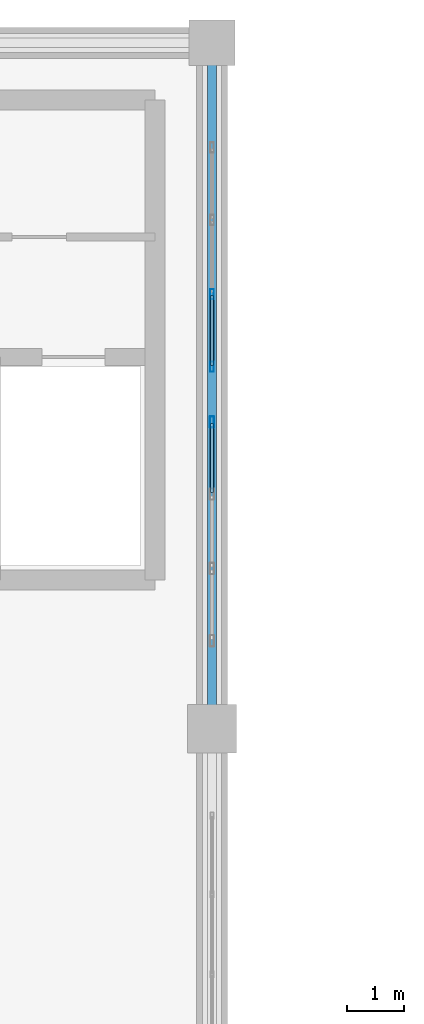
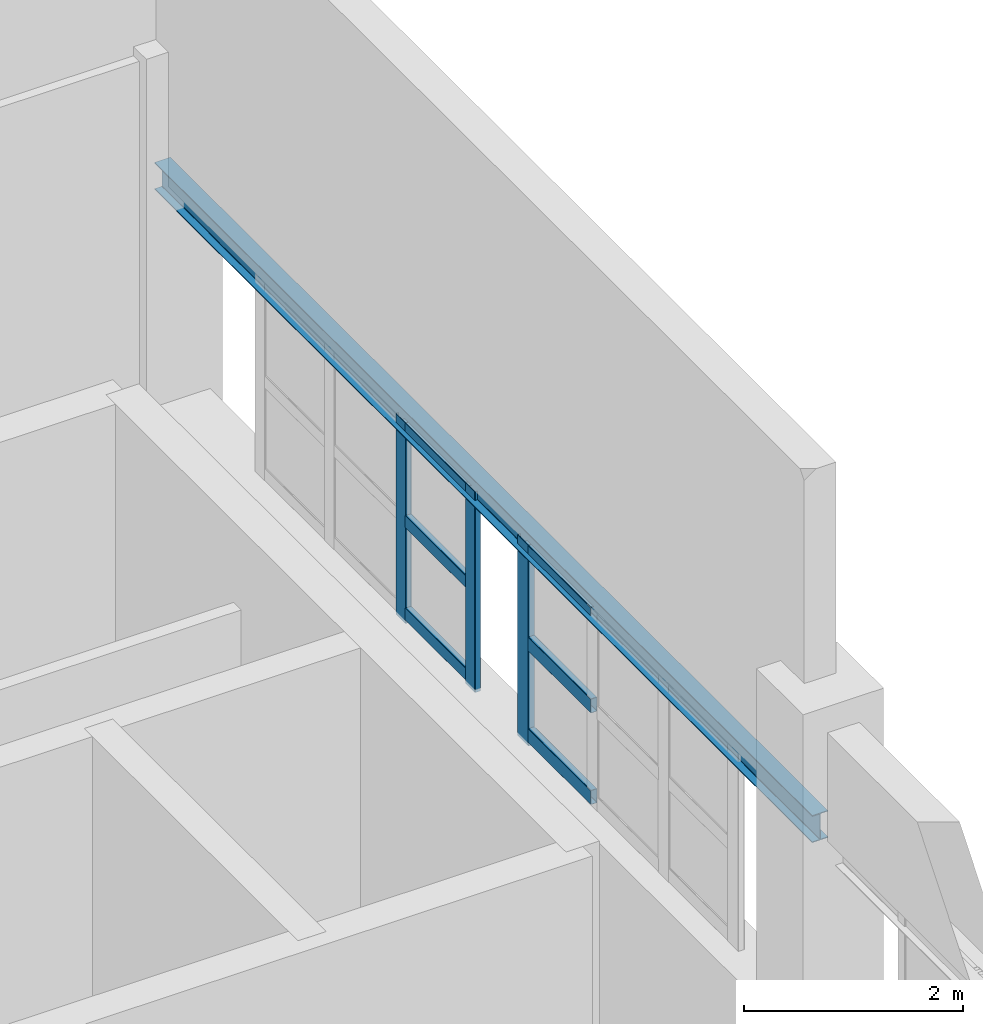
# One storey, part 61 of 97: 9 members, 1 beam, 2 elements without a shape of their own.
"""IFC4 building model written with IfcOpenShell, lengths in metres."""

from ifc_helpers import new_model, si_unit, derived_unit, direction, frame, origin, origin_2d, place, context, subcontext, project, spatial, hollow_rectangle, i_section, extrude, material, layer, layer_set, material_profile, profile_set, type_object, element, aggregate, save


model = new_model("IFC4")

# Units and contexts
model_context = context("Model", 3, precision=1e-05, world=origin(), true_north=direction((0.0, 1.0)))
body_context = subcontext(model_context, "Body", "Model", "MODEL_VIEW")
ifc_project = project(units=[si_unit("LENGTHUNIT", "METRE"), si_unit("AREAUNIT", "SQUARE_METRE"), si_unit("VOLUMEUNIT", "CUBIC_METRE"), si_unit("PLANEANGLEUNIT", "RADIAN"), si_unit("MASSUNIT", "GRAM", prefix="KILO"), derived_unit("THERMALTRANSMITTANCEUNIT", [(si_unit("POWERUNIT", "WATT"), 1), (si_unit("LENGTHUNIT", "METRE"), -2), (si_unit("THERMODYNAMICTEMPERATUREUNIT", "KELVIN"), -1)])], contexts=[model_context])

# Site, building, storey
site_placement = place(None, origin())
site = spatial("IfcSite", under=ifc_project, at=site_placement, CompositionType="ELEMENT")
building_placement = place(site_placement, origin())
building = spatial("IfcBuilding", under=site, at=building_placement, Name="Almenara Railside Exhibition Hall", CompositionType="ELEMENT")
storey_placement = place(building_placement, frame((0.0, 0.0, 10.800048828125)))
storey = spatial("IfcBuildingStorey", under=building, at=storey_placement, Name="L02", CompositionType="ELEMENT", Elevation=10.800048828125)

# Curtain wall, members
ifc_material_1 = material(Name="Bronze-anodised aluminium and low-E double glazing", Category="aluminium")
ifc_layer = layer(ifc_material_1, 0.179931640625, Name="Bronze-anodised aluminium and low-E double glazing")
ifc_layer_set = layer_set([ifc_layer], Name="Bronze-anodised aluminium and low-E double glazing")
curtain_wall_type = type_object("IfcCurtainWallType", Name="West Hall Clerestory Curtain Wall 3900x2200", PredefinedType="NOTDEFINED", material=ifc_layer_set)
curtain_wall_1_placement = place(storey_placement, origin())
curtain_wall_1 = element("IfcCurtainWall", 1, at=curtain_wall_1_placement, inside=storey, type_object=curtain_wall_type, Name="Curtain wall CW-CL2-024", PredefinedType="NOTDEFINED")
ifc_material_2 = material(Name="Bronze-anodised aluminium", Category="aluminium")
ifc_material_profile_1 = material_profile(ifc_material_2, hollow_rectangle(XDim=0.06494140625, YDim=0.179931640625, WallThickness=0.00390625, InnerFilletRadius=0.00390625, OuterFilletRadius=0.008056640625, at=origin_2d()), Name="ALU-MUL 65x180x4")
ifc_profile_set_1 = profile_set([ifc_material_profile_1], Name="Bronze-anodised aluminium")
member_type_1 = type_object("IfcMemberType", Name="Curtain Wall Mullion 65x180x4", PredefinedType="MULLION", material=ifc_profile_set_1)
member_1_placement = place(storey_placement, frame((66.0, 126.33251953125, 4.56494140625), z_axis=(0.0, 0.0, 1.0), x_axis=(-1.0, 0.0, 0.0)))
member_1 = element("IfcMember", 2, at=member_1_placement, type_object=member_type_1, Name="CW-CL2-024 mullion 1", PredefinedType="MULLION", context=body_context, shape_type="SweptSolid", body=[
    extrude(hollow_rectangle(XDim=0.06494140625, YDim=0.179931640625, WallThickness=0.00390625, InnerFilletRadius=0.00390625, OuterFilletRadius=0.008056640625, at=origin_2d()), origin(), (0.0, 0.0, 1.0), 2.235107421875),
])
member_2_placement = place(storey_placement, frame((66.0, 127.60009765625, 4.56494140625), z_axis=(0.0, 0.0, 1.0), x_axis=(-1.0, 0.0, 0.0)))
member_2 = element("IfcMember", 3, at=member_2_placement, type_object=member_type_1, Name="CW-CL2-024 mullion 2", PredefinedType="MULLION", context=body_context, shape_type="SweptSolid", body=[
    extrude(hollow_rectangle(XDim=0.06494140625, YDim=0.179931640625, WallThickness=0.00390625, InnerFilletRadius=0.00390625, OuterFilletRadius=0.008056640625, at=origin_2d()), origin(), (0.0, 0.0, 1.0), 2.235107421875),
])

# Curtain wall, member
curtain_wall_2_placement = place(storey_placement, origin())
curtain_wall_2 = element("IfcCurtainWall", 4, at=curtain_wall_2_placement, inside=storey, type_object=curtain_wall_type, Name="Curtain wall CW-CL2-023", PredefinedType="NOTDEFINED")
ifc_material_profile_2 = material_profile(ifc_material_2, hollow_rectangle(XDim=0.070068359375, YDim=0.199951171875, WallThickness=0.00439453125, InnerFilletRadius=0.00439453125, OuterFilletRadius=0.009033203125, at=origin_2d()), Name="ALU-MUL 70x200x4.5")
ifc_profile_set_2 = profile_set([ifc_material_profile_2], Name="Bronze-anodised aluminium")
member_type_2 = type_object("IfcMemberType", Name="Curtain Wall Mullion 70x200x4.5", PredefinedType="MULLION", material=ifc_profile_set_2)
member_3_placement = place(storey_placement, frame((66.0, 125.364990234375, 4.56494140625), z_axis=(0.0, 0.0, 1.0), x_axis=(-1.0, 0.0, 0.0)))
member_3 = element("IfcMember", 5, at=member_3_placement, type_object=member_type_2, Name="CW-CL2-023 mullion 4", PredefinedType="MULLION", context=body_context, shape_type="SweptSolid", body=[
    extrude(hollow_rectangle(XDim=0.070068359375, YDim=0.199951171875, WallThickness=0.00439453125, InnerFilletRadius=0.00439453125, OuterFilletRadius=0.009033203125, at=origin_2d()), origin(), (0.0, 0.0, 1.0), 2.235107421875),
])

# Member
ifc_material_profile_3 = material_profile(ifc_material_2, hollow_rectangle(XDim=0.06494140625, YDim=0.139892578125, WallThickness=0.00341796875, InnerFilletRadius=0.00341796875, OuterFilletRadius=0.007080078125, at=origin_2d()), Name="ALU-TRN 65x140x3.5")
ifc_profile_set_3 = profile_set([ifc_material_profile_3], Name="Bronze-anodised aluminium")
member_type_3 = type_object("IfcMemberType", Name="Curtain Wall Transom 65x140x3.5", PredefinedType="USERDEFINED", material=ifc_profile_set_3)
member_4_placement = place(storey_placement, frame((66.0, 126.35693359375, 4.669921875), z_axis=(0.0, 1.0, 0.0), x_axis=(-1.0, 0.0, 0.0)))
member_4 = element("IfcMember", 6, at=member_4_placement, type_object=member_type_3, Name="CW-CL2-024 transom 1.1", ObjectType="TRANSOM", PredefinedType="USERDEFINED", context=body_context, shape_type="SweptSolid", body=[
    extrude(hollow_rectangle(XDim=0.06494140625, YDim=0.139892578125, WallThickness=0.00341796875, InnerFilletRadius=0.00341796875, OuterFilletRadius=0.007080078125, at=origin_2d()), origin(), (0.0, 0.0, 1.0), 1.218505859375),
])

member_5_placement = place(storey_placement, frame((66.0, 126.35693359375, 5.699951171875), z_axis=(0.0, 1.0, 0.0), x_axis=(-1.0, 0.0, 0.0)))
member_5 = element("IfcMember", 7, at=member_5_placement, type_object=member_type_3, Name="CW-CL2-024 transom 1.2", ObjectType="TRANSOM", PredefinedType="USERDEFINED", context=body_context, shape_type="SweptSolid", body=[
    extrude(hollow_rectangle(XDim=0.06494140625, YDim=0.139892578125, WallThickness=0.00341796875, InnerFilletRadius=0.00341796875, OuterFilletRadius=0.007080078125, at=origin_2d()), origin(), (0.0, 0.0, 1.0), 1.218505859375),
])

member_6_placement = place(storey_placement, frame((66.0, 126.35693359375, 6.72998046875), z_axis=(0.0, 1.0, 0.0), x_axis=(-1.0, 0.0, 0.0)))
member_6 = element("IfcMember", 8, at=member_6_placement, type_object=member_type_3, Name="CW-CL2-024 transom 1.3", ObjectType="TRANSOM", PredefinedType="USERDEFINED", context=body_context, shape_type="SweptSolid", body=[
    extrude(hollow_rectangle(XDim=0.06494140625, YDim=0.139892578125, WallThickness=0.00341796875, InnerFilletRadius=0.00341796875, OuterFilletRadius=0.007080078125, at=origin_2d()), origin(), (0.0, 0.0, 1.0), 1.218505859375),
])

aggregate(curtain_wall_1, [member_1, member_2, member_4, member_5, member_6])

ifc_material_profile_4 = material_profile(ifc_material_2, hollow_rectangle(XDim=0.070068359375, YDim=0.159912109375, WallThickness=0.00390625, InnerFilletRadius=0.00390625, OuterFilletRadius=0.008056640625, at=origin_2d()), Name="ALU-TRN 70x160x4")
ifc_profile_set_4 = profile_set([ifc_material_profile_4], Name="Bronze-anodised aluminium")
member_type_4 = type_object("IfcMemberType", Name="Curtain Wall Transom 70x160x4", PredefinedType="USERDEFINED", material=ifc_profile_set_4)
member_7_placement = place(storey_placement, frame((66.0, 124.126953125, 4.679931640625), z_axis=(0.0, 1.0, 0.0), x_axis=(-1.0, 0.0, 0.0)))
member_7 = element("IfcMember", 9, at=member_7_placement, type_object=member_type_4, Name="CW-CL2-023 transom 3.1", ObjectType="TRANSOM", PredefinedType="USERDEFINED", context=body_context, shape_type="SweptSolid", body=[
    extrude(hollow_rectangle(XDim=0.070068359375, YDim=0.159912109375, WallThickness=0.00390625, InnerFilletRadius=0.00390625, OuterFilletRadius=0.008056640625, at=origin_2d()), origin(), (0.0, 0.0, 1.0), 1.2109375),
])

member_8_placement = place(storey_placement, frame((66.0, 124.126953125, 5.699951171875), z_axis=(0.0, 1.0, 0.0), x_axis=(-1.0, 0.0, 0.0)))
member_8 = element("IfcMember", 10, at=member_8_placement, type_object=member_type_4, Name="CW-CL2-023 transom 3.2", ObjectType="TRANSOM", PredefinedType="USERDEFINED", context=body_context, shape_type="SweptSolid", body=[
    extrude(hollow_rectangle(XDim=0.070068359375, YDim=0.159912109375, WallThickness=0.00390625, InnerFilletRadius=0.00390625, OuterFilletRadius=0.008056640625, at=origin_2d()), origin(), (0.0, 0.0, 1.0), 1.2109375),
])

member_9_placement = place(storey_placement, frame((66.0, 124.126953125, 6.719970703125), z_axis=(0.0, 1.0, 0.0), x_axis=(-1.0, 0.0, 0.0)))
member_9 = element("IfcMember", 11, at=member_9_placement, type_object=member_type_4, Name="CW-CL2-023 transom 3.3", ObjectType="TRANSOM", PredefinedType="USERDEFINED", context=body_context, shape_type="SweptSolid", body=[
    extrude(hollow_rectangle(XDim=0.070068359375, YDim=0.159912109375, WallThickness=0.00390625, InnerFilletRadius=0.00390625, OuterFilletRadius=0.008056640625, at=origin_2d()), origin(), (0.0, 0.0, 1.0), 1.2109375),
])

aggregate(curtain_wall_2, [member_3, member_7, member_8, member_9])

# Beam
ifc_material_3 = material(Name="Structural steel S355JR", Category="steel")
ifc_material_profile_5 = material_profile(ifc_material_3, i_section(OverallWidth=0.1650390625, OverallDepth=0.303466796875, WebThickness=0.006103515625, FlangeThickness=0.01025390625, FilletRadius=0.0087890625, at=origin_2d()), Name="UB 305x165x40")
ifc_profile_set_5 = profile_set([ifc_material_profile_5], Name="Structural steel S355JR")
beam_type = type_object("IfcBeamType", Name="Steel Canopy Edge Spandrel UB 305x165x40 S355JR", PredefinedType="SPANDREL", material=ifc_profile_set_5)
beam_placement = place(storey_placement, frame((66.0, 120.0, 6.84814453125), z_axis=(0.0, 1.0, 0.0), x_axis=(-1.0, 0.0, 0.0)))
element("IfcBeam", 12, at=beam_placement, inside=storey, type_object=beam_type, Name="BM-CRNLNT-V1-66-120", PredefinedType="SPANDREL", context=body_context, shape_type="SweptSolid", body=[
    extrude(i_section(OverallWidth=0.1650390625, OverallDepth=0.303466796875, WebThickness=0.006103515625, FlangeThickness=0.01025390625, FilletRadius=0.0087890625, at=origin_2d()), origin(), (0.0, 0.0, 1.0), 12.0),
])

save(model, "model.ifc")
